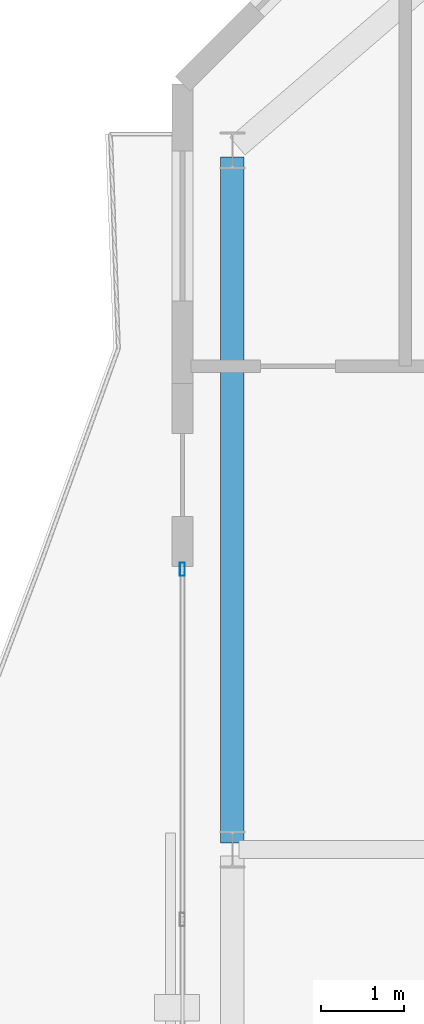
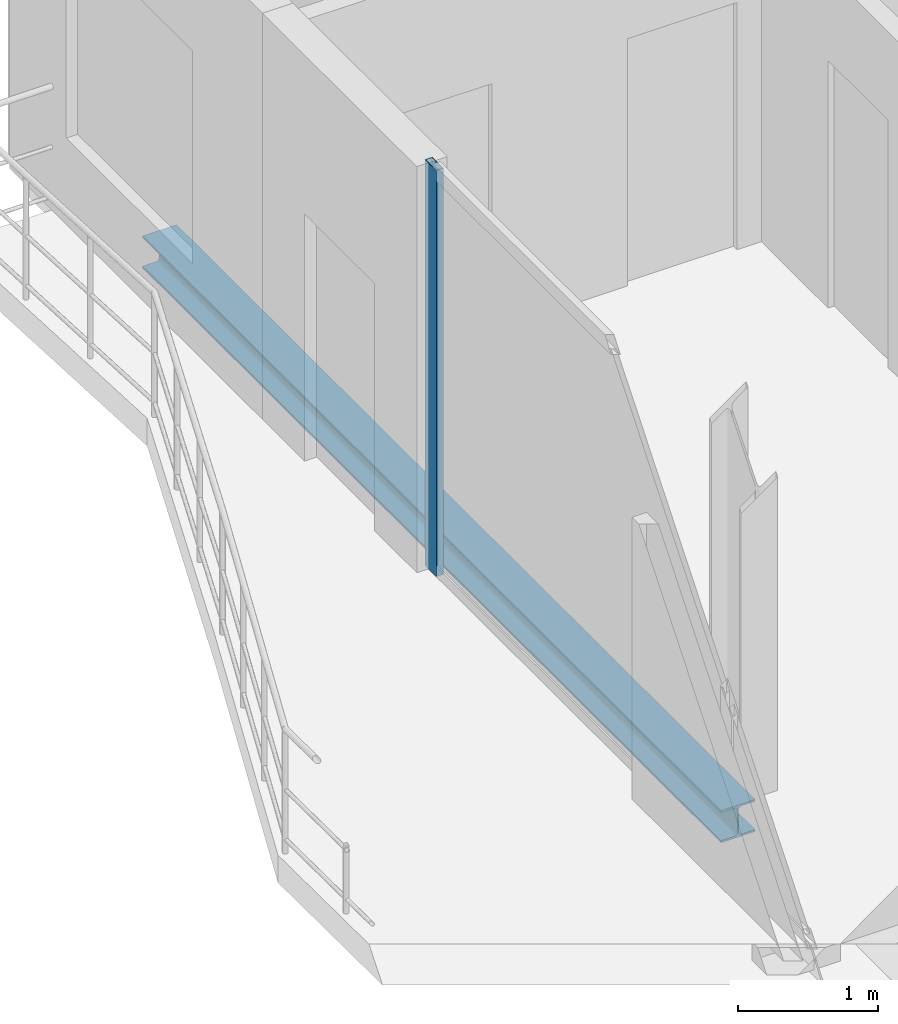
# One storey, part 12 of 22: 1 beam, 1 member, 1 element without a shape of its own.
"""IFC4 building model written with IfcOpenShell, lengths in metres."""

from ifc_helpers import new_model, si_unit, direction, frame, origin, origin_2d, place, context, subcontext, project, spatial, hollow_rectangle, i_section, extrude, material, layer, layer_set, material_profile, profile_set, type_object, element, aggregate, save


model = new_model("IFC4")

# Units and contexts
model_context = context("Model", 3, precision=1e-05, world=origin(), true_north=direction((0.0, 1.0)))
body_context = subcontext(model_context, "Body", "Model", "MODEL_VIEW")
ifc_project = project(units=[si_unit("LENGTHUNIT", "METRE"), si_unit("AREAUNIT", "SQUARE_METRE"), si_unit("VOLUMEUNIT", "CUBIC_METRE"), si_unit("PLANEANGLEUNIT", "RADIAN"), si_unit("MASSUNIT", "GRAM", prefix="KILO")], contexts=[model_context])

# Site, building, storey
site_placement = place(None, origin())
site = spatial("IfcSite", under=ifc_project, at=site_placement, CompositionType="ELEMENT")
building_placement = place(site_placement, origin())
building = spatial("IfcBuilding", under=site, at=building_placement, Name="Catumbela Crestline Tower", CompositionType="ELEMENT")
storey_placement = place(building_placement, frame((0.0, 0.0, 226.0)))
storey = spatial("IfcBuildingStorey", under=building, at=storey_placement, Name="L58", CompositionType="ELEMENT", Elevation=226.0)

# Curtain wall, member
ifc_material_1 = material(Name="Aluminium alloy AW-6060-T66", Category="aluminium")
ifc_layer = layer(ifc_material_1, 0.18, Name="Aluminium alloy AW-6060-T66")
ifc_layer_set = layer_set([ifc_layer], Name="Aluminium alloy AW-6060-T66")
curtain_wall_type = type_object("IfcCurtainWallType", Name="CWU-Z4", PredefinedType="USERDEFINED", material=ifc_layer_set)
curtain_wall_placement = place(storey_placement, origin())
curtain_wall = element("IfcCurtainWall", 1, at=curtain_wall_placement, inside=storey, type_object=curtain_wall_type, Name="L58 Unitised Curtain Wall CW-L58-E9S2", ObjectType="UNITISED", PredefinedType="USERDEFINED")
ifc_material_profile_1 = material_profile(ifc_material_1, hollow_rectangle(XDim=0.06, YDim=0.16, WallThickness=0.004, at=origin_2d()), Name="ALU 160x60x4")
ifc_profile_set_1 = profile_set([ifc_material_profile_1], Name="Aluminium alloy AW-6060-T66")
member_type = type_object("IfcMemberType", Name="MUL-160X60", PredefinedType="MULLION", material=ifc_profile_set_1)
member_placement = place(storey_placement, frame((5.0, 34.1675, 0.0), z_axis=(0.0, 0.0, 1.0), x_axis=(1.0, 0.0, 0.0)))
member = element("IfcMember", 2, at=member_placement, type_object=member_type, Name="CWU-Z4 mullion 1", PredefinedType="MULLION", context=body_context, shape_type="SweptSolid", body=[
    extrude(hollow_rectangle(XDim=0.06, YDim=0.16, WallThickness=0.004, at=origin_2d()), origin(), (0.0, 0.0, 1.0), 3.53),
])
aggregate(curtain_wall, [member])

# Beam
ifc_material_2 = material(Name="Structural steel S355J2", Category="steel")
ifc_material_profile_2 = material_profile(ifc_material_2, i_section(OverallWidth=0.28, OverallDepth=0.28, WebThickness=0.0105, FlangeThickness=0.018, FilletRadius=0.024, at=origin_2d()), Name="HEB 280")
ifc_profile_set_2 = profile_set([ifc_material_profile_2], Name="Structural steel S355J2")
beam_type = type_object("IfcBeamType", Name="BS-HEB280", PredefinedType="SPANDREL", material=ifc_profile_set_2)
beam_placement = place(storey_placement, frame((5.6, 30.88, -0.4), z_axis=(0.0, 1.0, 0.0), x_axis=(-1.0, 0.0, 0.0)))
element("IfcBeam", 3, at=beam_placement, inside=storey, type_object=beam_type, Name="L58 Spandrel SP-L58-SN13", PredefinedType="SPANDREL", context=body_context, shape_type="SweptSolid", body=[
    extrude(i_section(OverallWidth=0.28, OverallDepth=0.28, WebThickness=0.0105, FlangeThickness=0.018, FilletRadius=0.024, at=origin_2d()), origin(), (0.0, 0.0, 1.0), 8.24),
])

save(model, "model.ifc")
